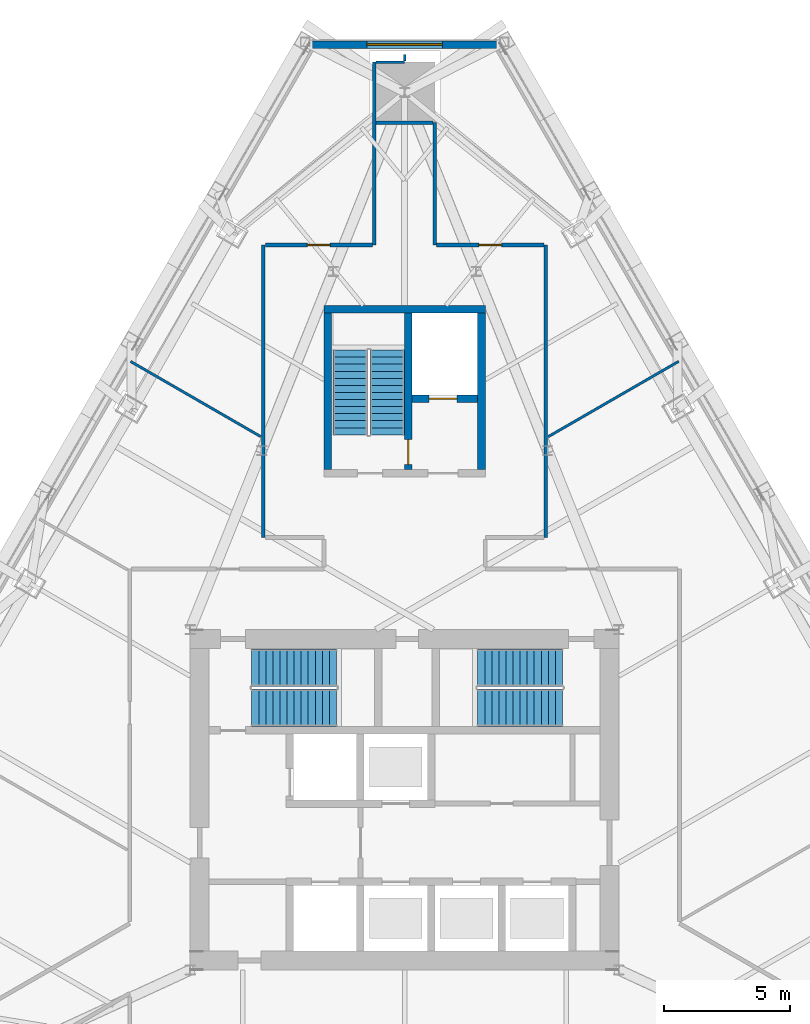
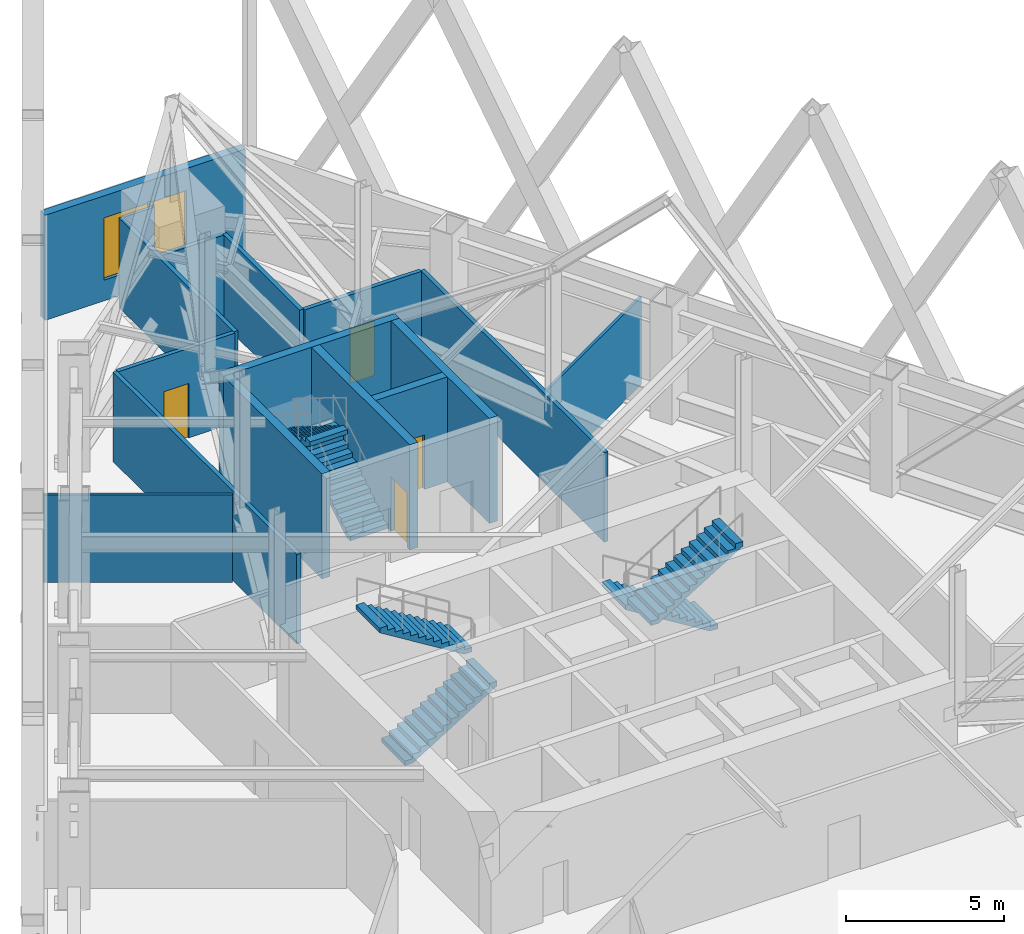
# One storey, part 10 of 16: 17 walls, 6 stair flights, 4 doors, 1 window, 5 openings, 3 elements without a shape of their own.
"""IFC4 building model written with IfcOpenShell, lengths in metres."""

import ifcopenshell
import ifcopenshell.guid

model = None  # the IFC model being written
_history = None  # IfcOwnerHistory: only IFC2X3 demands one
_inside = {}  # id of a spatial element -> (the spatial element, [elements in it])
_under = {}  # id of a project, library or spatial element -> (it, [spatial elements below it])
_declared = {}  # id of a project -> (the project, [libraries it declares])
_typed = {}  # id of a type object -> (the type object, [elements of that type])
_made_of = {}  # id of a material, layer set ... -> (it, [elements and type objects made of it])


def new_model(schema):
    """Start an empty IFC model of exactly this schema.

    Asked for "IFC4X3", IfcOpenShell would pick the latest addendum, in which some entities
    have other attributes; the version numbers below select the first issue.
    IFC2X3 requires an IfcOwnerHistory on every rooted entity: one is made here for all.
    """
    global model, _history
    if schema == "IFC4X3":
        model = ifcopenshell.file(schema_version=(4, 3, 0, 0))
    else:
        model = ifcopenshell.file(schema=schema)
    _inside.clear()
    _under.clear()
    _declared.clear()
    _typed.clear()
    _made_of.clear()
    _history = None
    if model.schema == "IFC2X3":
        org = make("IfcOrganization", Name="unknown")
        user = make(
            "IfcPersonAndOrganization",
            ThePerson=make("IfcPerson", FamilyName="unknown"),
            TheOrganization=org,
        )
        app = make(
            "IfcApplication",
            ApplicationDeveloper=org,
            Version="unknown",
            ApplicationFullName="unknown",
            ApplicationIdentifier="unknown",
        )
        _history = make(
            "IfcOwnerHistory",
            OwningUser=user,
            OwningApplication=app,
            ChangeAction="ADDED",
            CreationDate=0,
        )
    return model


def make(cls, **values):
    """One entity of the class cls with the attributes given. An attribute that is None is left unset."""
    return model.create_entity(
        cls, **{name: value for name, value in values.items() if value is not None}
    )


def rooted(cls, **values):
    """An entity with a GlobalId (a new one), such as an element, a storey or a relation."""
    return make(cls, GlobalId=ifcopenshell.guid.new(), OwnerHistory=_history, **values)


def si_unit(unit_type, name, prefix=None):
    """IfcSIUnit, for example si_unit("LENGTHUNIT", "METRE", prefix="MILLI")."""
    return make("IfcSIUnit", UnitType=unit_type, Prefix=prefix, Name=name)


def assignment(units):
    """IfcUnitAssignment: the units of a project."""
    return None if units is None else make("IfcUnitAssignment", Units=units)


def point(xyz):
    """IfcCartesianPoint."""
    return None if xyz is None else make("IfcCartesianPoint", Coordinates=xyz)


def direction(xyz):
    """IfcDirection."""
    return None if xyz is None else make("IfcDirection", DirectionRatios=xyz)


def frame(location, z_axis=None, x_axis=None):
    """IfcAxis2Placement3D, a coordinate frame: its origin and axes. An axis left out is left unset."""
    return make(
        "IfcAxis2Placement3D",
        Location=point(location),
        Axis=direction(z_axis),
        RefDirection=direction(x_axis),
    )


def frame_2d(location, x_axis=None):
    """IfcAxis2Placement2D, a coordinate frame in the plane: its origin and x axis."""
    return make(
        "IfcAxis2Placement2D", Location=point(location), RefDirection=direction(x_axis)
    )


def origin():
    """The frame at (0, 0, 0) with its axes left unset."""
    return frame((0.0, 0.0, 0.0))


def place(relative_to, where):
    """IfcLocalPlacement: puts the frame where relative to a parent placement (None: the world)."""
    return make(
        "IfcLocalPlacement", PlacementRelTo=relative_to, RelativePlacement=where
    )


def context(
    kind, dimensions, precision=None, world=None, true_north=None, identifier=None
):
    """IfcGeometricRepresentationContext, for example the 3D "Model" context."""
    return make(
        "IfcGeometricRepresentationContext",
        ContextIdentifier=identifier,
        ContextType=kind,
        CoordinateSpaceDimension=dimensions,
        Precision=precision,
        WorldCoordinateSystem=world,
        TrueNorth=true_north,
    )


def subcontext(parent, identifier, kind, view, scale=None):
    """IfcGeometricRepresentationSubContext, for example "Body" below "Model"."""
    return make(
        "IfcGeometricRepresentationSubContext",
        ContextIdentifier=identifier,
        ContextType=kind,
        ParentContext=parent,
        TargetScale=scale,
        TargetView=view,
    )


def project(units=None, contexts=None):
    """IfcProject with its units and contexts."""
    return rooted(
        "IfcProject",
        Name="project",
        RepresentationContexts=contexts,
        UnitsInContext=assignment(units),
    )


def spatial(cls, under=None, at=None, **own):
    """A site, building, storey or space (cls), placed at a placement, below another one or the project."""
    s = rooted(cls, ObjectPlacement=at, **own)
    if under is not None:
        _under.setdefault(under.id(), (under, []))[1].append(s)
    return s


def polyline(points):
    """IfcPolyline through the points."""
    return make("IfcPolyline", Points=[point(p) for p in points])


def profile(cls, at=None, kind="AREA", **sizes):
    """A parametric profile (cls). Its sizes go by their IFC names, for example OverallWidth=200.0."""
    return make(cls, ProfileType=kind, Position=at, **sizes)


def rectangle(**sizes):
    """IfcRectangleProfileDef."""
    return profile("IfcRectangleProfileDef", **sizes)


def outline(outer, holes=None, kind="AREA"):
    """IfcArbitraryClosedProfileDef: a profile drawn as a closed curve; with holes, ...WithVoids."""
    if holes is None:
        return make("IfcArbitraryClosedProfileDef", ProfileType=kind, OuterCurve=outer)
    return make(
        "IfcArbitraryProfileDefWithVoids",
        ProfileType=kind,
        OuterCurve=outer,
        InnerCurves=holes,
    )


def extrude(swept, where, along, depth):
    """IfcExtrudedAreaSolid: the profile swept, set in the frame where, extruded along a direction by depth."""
    return make(
        "IfcExtrudedAreaSolid",
        SweptArea=swept,
        Position=where,
        ExtrudedDirection=direction(along),
        Depth=depth,
    )


def shape(context_of_items, identifier, shape_type, items):
    """IfcShapeRepresentation: the items that make up one representation, for example the "Body"."""
    return make(
        "IfcShapeRepresentation",
        ContextOfItems=context_of_items,
        RepresentationIdentifier=identifier,
        RepresentationType=shape_type,
        Items=items,
    )


def material(Name=None, Category=None):
    """IfcMaterial."""
    return make("IfcMaterial", Name=Name, Category=Category)


def layer(
    of_material, thickness, ventilated=None, Name=None, Category=None, Priority=None
):
    """IfcMaterialLayer: one layer of a wall or slab, of a material (None: an air gap)."""
    return make(
        "IfcMaterialLayer",
        Material=of_material,
        LayerThickness=thickness,
        IsVentilated=ventilated,
        Name=Name,
        Category=Category,
        Priority=Priority,
    )


def layer_set(layers, Name=None):
    """IfcMaterialLayerSet."""
    return make("IfcMaterialLayerSet", MaterialLayers=layers, LayerSetName=Name)


def made_of(thing, what):
    """Note that an element or type object is made of a material, layer set ...; save() writes the relation."""
    if what is not None:
        _made_of.setdefault(what.id(), (what, []))[1].append(thing)
    return thing


def type_object(cls, material=None, **own):
    """A type object (cls), such as IfcWallType, which elements share."""
    return made_of(rooted(cls, **own), material)


def element(
    cls,
    number,
    at=None,
    inside=None,
    cuts=None,
    type_object=None,
    material=None,
    context=None,
    identifier="Body",
    shape_type=None,
    held_by="IfcProductDefinitionShape",
    body=None,
    shapes=None,
    **own,
):
    """One element of the class cls, such as IfcWall. Its Tag is "e" and its number.

    at: its placement. inside: the storey or other place that contains it. cuts: it is an
    opening in that element (IfcRelVoidsElement). A single representation is given by context,
    identifier, shape_type and body (its items); several are given by shapes. held_by: the class
    of the entity that holds the representations. save() writes the other relations.
    """
    e = rooted(cls, Tag="e%d" % number, ObjectPlacement=at, **own)
    if body is not None:
        shapes = [shape(context, identifier, shape_type, body)]
    if shapes is not None:
        e.Representation = make(held_by, Representations=shapes)
    if inside is not None:
        _inside.setdefault(inside.id(), (inside, []))[1].append(e)
    if cuts is not None:
        rooted(
            "IfcRelVoidsElement", RelatingBuildingElement=cuts, RelatedOpeningElement=e
        )
    if type_object is not None:
        _typed.setdefault(type_object.id(), (type_object, []))[1].append(e)
    return made_of(e, material)


def fill(opening, filler):
    """IfcRelFillsElement: the door or window that sits in an opening."""
    return rooted(
        "IfcRelFillsElement",
        RelatingOpeningElement=opening,
        RelatedBuildingElement=filler,
    )


def aggregate(whole, parts):
    """IfcRelAggregates: a whole, such as a stair, and the parts it consists of."""
    return rooted("IfcRelAggregates", RelatingObject=whole, RelatedObjects=parts)


def save(model, path):
    """Write the relations noted so far, then the file.

    IfcRelAggregates (storeys below a building ...), IfcRelContainedInSpatialStructure (elements
    in a storey), IfcRelDefinesByType, IfcRelAssociatesMaterial and IfcRelDeclares: one each for
    every whole, place, type object, material and project.
    """
    for whole, parts in _under.values():
        aggregate(whole, parts)
    for where, things in _inside.values():
        rooted(
            "IfcRelContainedInSpatialStructure",
            RelatedElements=things,
            RelatingStructure=where,
        )
    for kind, things in _typed.values():
        rooted("IfcRelDefinesByType", RelatedObjects=things, RelatingType=kind)
    for what, things in _made_of.values():
        rooted("IfcRelAssociatesMaterial", RelatedObjects=things, RelatingMaterial=what)
    for by, libraries in _declared.values():
        rooted("IfcRelDeclares", RelatingContext=by, RelatedDefinitions=libraries)
    model.write(path)


model = new_model("IFC4")

# Units and contexts
model_context = context("Model", 3, precision=1e-05, world=origin(), true_north=direction((0.0, 1.0)))
body_context = subcontext(model_context, "Body", "Model", "MODEL_VIEW")
ifc_project = project(units=[si_unit("LENGTHUNIT", "METRE"), si_unit("AREAUNIT", "SQUARE_METRE"), si_unit("VOLUMEUNIT", "CUBIC_METRE"), si_unit("PLANEANGLEUNIT", "RADIAN"), si_unit("MASSUNIT", "GRAM", prefix="KILO")], contexts=[model_context])

# Site, building, storey
site_placement = place(None, origin())
site = spatial("IfcSite", under=ifc_project, at=site_placement, CompositionType="ELEMENT")
building_placement = place(site_placement, origin())
building = spatial("IfcBuilding", under=site, at=building_placement, Name="Firuza Gate Tower and Library", CompositionType="ELEMENT")
storey_placement = place(building_placement, frame((0.0, 0.0, 247.60009765625)))
storey = spatial("IfcBuildingStorey", under=building, at=storey_placement, Name="L58", CompositionType="ELEMENT", Elevation=247.60009765625)

# Walls
ifc_material_1 = material(Name="Concrete C60/75", Category="concrete")
ifc_layer_1 = layer(ifc_material_1, 0.300048828125)
ifc_layer_set_1 = layer_set([ifc_layer_1], Name="Core wall 300 C60/75")
wall_type_1 = type_object("IfcWallType", Name="Core wall 300 C60/75", PredefinedType="SHEAR", material=ifc_layer_set_1)
wall_1_placement = place(storey_placement, frame((71.800048828125, 94.449951171875, 0.0), z_axis=(0.0, 0.0, 1.0), x_axis=(1.0, 0.0, 0.0)))
element("IfcWall", 1, at=wall_1_placement, inside=storey, type_object=wall_type_1, Name="Core wall L58 19", PredefinedType="SHEAR", context=body_context, shape_type="SweptSolid", body=[
    extrude(rectangle(XDim=6.39990234375, YDim=0.300048828125, at=frame_2d((3.199951171875, 0.0))), origin(), (0.0, 0.0, 1.0), 4.0498046875),
])
for number, where, z_axis, x_axis, name in (
    (2, (71.949951171875, 88.10009765625, 0.0), (0.0, 0.0, 1.0), (0.0, 1.0, 0.0), "Core wall L58 20"),
    (3, (78.050048828125, 88.10009765625, 0.0), (0.0, 0.0, 1.0), (0.0, 1.0, 0.0), "Core wall L58 21"),
):
    element("IfcWall", number, at=place(storey_placement, frame(where, z_axis=z_axis, x_axis=x_axis)), inside=storey, type_object=wall_type_1, Name=name, PredefinedType="SHEAR", context=body_context, shape_type="SweptSolid", body=[
        extrude(rectangle(XDim=6.199951171875, YDim=0.300048828125, at=frame_2d((3.10009765625, 0.0))), origin(), (0.0, 0.0, 1.0), 4.0498046875),
    ])

# Wall, opening, door
wall_2_placement = place(storey_placement, frame((75.300048828125, 90.89990234375, 0.0), z_axis=(0.0, 0.0, 1.0), x_axis=(1.0, 0.0, 0.0)))
wall_2 = element("IfcWall", 4, at=wall_2_placement, inside=storey, type_object=wall_type_1, Name="Core wall L58 22", PredefinedType="SHEAR", context=body_context, shape_type="SweptSolid", body=[
    extrude(rectangle(XDim=2.599853515625, YDim=0.300048828125, at=frame_2d((1.2998046875, 0.0))), origin(), (0.0, 0.0, 1.0), 4.0498046875),
])
opening_1_placement = place(wall_2_placement, frame((0.675048828125, 0.0, 0.0)))
opening_1 = element("IfcOpeningElement", 5, at=opening_1_placement, cuts=wall_2, Name="Opening LD-SV1-L58", PredefinedType="OPENING", context=body_context, shape_type="SweptSolid", body=[
    extrude(rectangle(XDim=1.10009765625, YDim=2.10009765625, at=frame_2d((0.550048828125, 1.050048828125))), frame((0.0, 0.16015625, 0.0), z_axis=(0.0, -1.0, 0.0), x_axis=(1.0, 0.0, 0.0)), (0.0, 0.0, 1.0), 0.320068359375),
])
ifc_material_2 = material(Name="Stainless steel", Category="steel")
door_type_1 = type_object("IfcDoorType", Name="Lift landing door 1100x2100", OperationType="DOUBLE_DOOR_SLIDING", PredefinedType="DOOR", material=ifc_material_2)
door_1_placement = place(opening_1_placement, origin())
door_1 = element("IfcDoor", 6, at=door_1_placement, inside=storey, type_object=door_type_1, Name="Landing door SV1 L58", OperationType="DOUBLE_DOOR_SLIDING", OverallHeight=2.10009765625, OverallWidth=1.10009765625, PredefinedType="DOOR", context=body_context, shape_type="SweptSolid", body=[
    extrude(rectangle(XDim=1.10009765625, YDim=2.10009765625, at=frame_2d((0.550048828125, 1.050048828125))), frame((0.0, 0.02490234375, 0.0), z_axis=(0.0, -1.0, 0.0), x_axis=(1.0, 0.0, 0.0)), (0.0, 0.0, 1.0), 0.050048828125),
])
fill(opening_1, door_1)

wall_3_placement = place(storey_placement, frame((75.14990234375, 88.10009765625, 0.0), z_axis=(0.0, 0.0, 1.0), x_axis=(0.0, 1.0, 0.0)))
wall_3 = element("IfcWall", 7, at=wall_3_placement, inside=storey, type_object=wall_type_1, Name="Core wall L58 23", PredefinedType="SHEAR", context=body_context, shape_type="SweptSolid", body=[
    extrude(rectangle(XDim=6.199951171875, YDim=0.300048828125, at=frame_2d((3.10009765625, 0.0))), origin(), (0.0, 0.0, 1.0), 4.0498046875),
])
opening_2_placement = place(wall_3_placement, frame((0.18505859375, 0.0, 0.0)))
opening_2 = element("IfcOpeningElement", 8, at=opening_2_placement, cuts=wall_3, Name="Opening L58-K12", PredefinedType="OPENING", context=body_context, shape_type="SweptSolid", body=[
    extrude(rectangle(XDim=1.0, YDim=2.10009765625, at=frame_2d((0.5, 1.050048828125))), frame((0.0, 0.16015625, 0.0), z_axis=(0.0, -1.0, 0.0), x_axis=(1.0, 0.0, 0.0)), (0.0, 0.0, 1.0), 0.320068359375),
])
ifc_material_3 = material(Name="Steel", Category="steel")
door_type_2 = type_object("IfcDoorType", Name="Fire door 1000x2100 FD90", OperationType="NOTDEFINED", PredefinedType="DOOR", material=ifc_material_3)
door_2_placement = place(opening_2_placement, origin())
door_2 = element("IfcDoor", 9, at=door_2_placement, inside=storey, type_object=door_type_2, Name="Door L58-K12", OperationType="SINGLE_SWING_LEFT", OverallHeight=2.10009765625, OverallWidth=1.0, PredefinedType="DOOR", context=body_context, shape_type="SweptSolid", body=[
    extrude(rectangle(XDim=1.0, YDim=2.10009765625, at=frame_2d((0.5, 1.050048828125))), frame((0.0, 0.02490234375, 0.0), z_axis=(0.0, -1.0, 0.0), x_axis=(1.0, 0.0, 0.0)), (0.0, 0.0, 1.0), 0.050048828125),
])
fill(opening_2, door_2)

ifc_material_4 = material(Name="Gypsum board partition")
ifc_layer_2 = layer(ifc_material_4, 0.14990234375)
ifc_layer_set_2 = layer_set([ifc_layer_2], Name="Corridor wall 150 double board on steel studs")
wall_type_2 = type_object("IfcWallType", Name="Corridor wall 150 double board on steel studs", PredefinedType="PARTITIONING", material=ifc_layer_set_2)
wall_4_placement = place(storey_placement, frame((69.4755859375, 97.0, 0.0), z_axis=(0.0, 0.0, 1.0), x_axis=(1.0, 0.0, 0.0)))
wall_4 = element("IfcWall", 10, at=wall_4_placement, inside=storey, type_object=wall_type_2, Name="f:L58:w005", PredefinedType="PARTITIONING", context=body_context, shape_type="SweptSolid", body=[
    extrude(rectangle(XDim=4.24951171875, YDim=0.14990234375, at=frame_2d((2.124755859375, 0.0))), origin(), (0.0, 0.0, 1.0), 3.449951171875),
])
opening_3_placement = place(wall_4_placement, frame((1.6748046875, 0.0, 0.0)))
opening_3 = element("IfcOpeningElement", 11, at=opening_3_placement, cuts=wall_4, Name="Opening L58-05", PredefinedType="OPENING", context=body_context, shape_type="SweptSolid", body=[
    extrude(rectangle(XDim=0.89990234375, YDim=2.10009765625, at=frame_2d((0.449951171875, 1.050048828125))), frame((0.0, 0.0849609375, 0.0), z_axis=(0.0, -1.0, 0.0), x_axis=(1.0, 0.0, 0.0)), (0.0, 0.0, 1.0), 0.169921875),
])
ifc_material_5 = material(Name="Steel door and timber leaf", Category="steel")
door_type_3 = type_object("IfcDoorType", Name="Fire door 900 x 2100 steel frame, timber leaf", OperationType="NOTDEFINED", PredefinedType="DOOR", material=ifc_material_5)
door_3_placement = place(opening_3_placement, origin())
door_3 = element("IfcDoor", 12, at=door_3_placement, inside=storey, type_object=door_type_3, Name="f:L58:d005", OperationType="SINGLE_SWING_LEFT", OverallHeight=2.10009765625, OverallWidth=0.89990234375, PredefinedType="DOOR", context=body_context, shape_type="SweptSolid", body=[
    extrude(rectangle(XDim=0.89990234375, YDim=2.10009765625, at=frame_2d((0.449951171875, 1.050048828125))), frame((0.0, 0.02490234375, 0.0), z_axis=(0.0, -1.0, 0.0), x_axis=(1.0, 0.0, 0.0)), (0.0, 0.0, 1.0), 0.050048828125),
])
fill(opening_3, door_3)

wall_5_placement = place(storey_placement, frame((76.27490234375, 97.0, 0.0), z_axis=(0.0, 0.0, 1.0), x_axis=(1.0, 0.0, 0.0)))
wall_5 = element("IfcWall", 13, at=wall_5_placement, inside=storey, type_object=wall_type_2, Name="f:L58:w006", PredefinedType="PARTITIONING", context=body_context, shape_type="SweptSolid", body=[
    extrude(rectangle(XDim=4.24951171875, YDim=0.14990234375, at=frame_2d((2.124755859375, 0.0))), origin(), (0.0, 0.0, 1.0), 3.449951171875),
])
opening_4_placement = place(wall_5_placement, frame((1.6748046875, 0.0, 0.0)))
opening_4 = element("IfcOpeningElement", 14, at=opening_4_placement, cuts=wall_5, Name="Opening L58-06", PredefinedType="OPENING", context=body_context, shape_type="SweptSolid", body=[
    extrude(rectangle(XDim=0.89990234375, YDim=2.10009765625, at=frame_2d((0.449951171875, 1.050048828125))), frame((0.0, 0.0849609375, 0.0), z_axis=(0.0, -1.0, 0.0), x_axis=(1.0, 0.0, 0.0)), (0.0, 0.0, 1.0), 0.169921875),
])
door_4_placement = place(opening_4_placement, origin())
door_4 = element("IfcDoor", 15, at=door_4_placement, inside=storey, type_object=door_type_3, Name="f:L58:d006", OperationType="SINGLE_SWING_RIGHT", OverallHeight=2.10009765625, OverallWidth=0.89990234375, PredefinedType="DOOR", context=body_context, shape_type="SweptSolid", body=[
    extrude(rectangle(XDim=0.89990234375, YDim=2.10009765625, at=frame_2d((0.449951171875, 1.050048828125))), frame((0.0, 0.02490234375, 0.0), z_axis=(0.0, -1.0, 0.0), x_axis=(1.0, 0.0, 0.0)), (0.0, 0.0, 1.0), 0.050048828125),
])
fill(opening_4, door_4)

# Walls
wall_6_placement = place(storey_placement, frame((73.87548828125, 101.84912109375, 0.0), z_axis=(0.0, 0.0, 1.0), x_axis=(1.0, 0.0, 0.0)))
element("IfcWall", 16, at=wall_6_placement, inside=storey, type_object=wall_type_2, Name="f:L58:w007", PredefinedType="PARTITIONING", context=body_context, shape_type="SweptSolid", body=[
    extrude(rectangle(XDim=2.2490234375, YDim=0.14990234375, at=frame_2d((1.12451171875, 0.0))), origin(), (0.0, 0.0, 1.0), 3.447021484375),
])
wall_7_placement = place(storey_placement, frame((80.60009765625, 85.400634765625, 0.0), z_axis=(0.0, 0.0, 1.0), x_axis=(0.0, 1.0, 0.0)))
element("IfcWall", 17, at=wall_7_placement, inside=storey, type_object=wall_type_2, Name="f:L58:w019", PredefinedType="PARTITIONING", context=body_context, shape_type="SweptSolid", body=[
    extrude(rectangle(XDim=11.598876953125, YDim=0.14990234375, at=frame_2d((5.79931640625, 0.0))), origin(), (0.0, 0.0, 1.0), 3.447021484375),
])
wall_8_placement = place(storey_placement, frame((76.199951171875, 97.0, 0.0), z_axis=(0.0, 0.0, 1.0), x_axis=(0.0, 1.0, 0.0)))
element("IfcWall", 18, at=wall_8_placement, inside=storey, type_object=wall_type_2, Name="f:L58:w021", PredefinedType="PARTITIONING", context=body_context, shape_type="SweptSolid", body=[
    extrude(rectangle(XDim=4.848388671875, YDim=0.14990234375, at=frame_2d((2.42431640625, 0.0))), origin(), (0.0, 0.0, 1.0), 3.449951171875),
])
wall_9_placement = place(storey_placement, frame((73.800048828125, 97.0, 0.0), z_axis=(0.0, 0.0, 1.0), x_axis=(0.0, 1.0, 0.0)))
element("IfcWall", 19, at=wall_9_placement, inside=storey, type_object=wall_type_2, Name="f:L58:w023", PredefinedType="PARTITIONING", context=body_context, shape_type="SweptSolid", body=[
    extrude(rectangle(XDim=7.24853515625, YDim=0.14990234375, at=frame_2d((3.624267578125, 0.0))), origin(), (0.0, 0.0, 1.0), 3.449951171875),
])
wall_10_placement = place(storey_placement, frame((69.39990234375, 85.400390625, 0.0), z_axis=(0.0, 0.0, 1.0), x_axis=(0.0, 1.0, 0.0)))
element("IfcWall", 20, at=wall_10_placement, inside=storey, type_object=wall_type_2, Name="f:L58:w026", PredefinedType="PARTITIONING", context=body_context, shape_type="SweptSolid", body=[
    extrude(rectangle(XDim=11.59912109375, YDim=0.14990234375, at=frame_2d((5.799560546875, 0.0))), origin(), (0.0, 0.0, 1.0), 3.447021484375),
])
ifc_material_6 = material(Name="Gypsum board partition")
ifc_layer_3 = layer(ifc_material_6, 0.10009765625)
ifc_layer_set_3 = layer_set([ifc_layer_3], Name="Partition 100 gypsum board on steel studs")
wall_type_3 = type_object("IfcWallType", Name="Partition 100 gypsum board on steel studs", PredefinedType="PARTITIONING", material=ifc_layer_set_3)
wall_11_placement = place(storey_placement, frame((73.87548828125, 104.2490234375, 0.0), z_axis=(0.0, 0.0, 1.0), x_axis=(1.0, 0.0, 0.0)))
element("IfcWall", 21, at=wall_11_placement, inside=storey, type_object=wall_type_3, Name="f:L58:w008", PredefinedType="PARTITIONING", context=body_context, shape_type="SweptSolid", body=[
    extrude(rectangle(XDim=1.12451171875, YDim=0.10009765625, at=frame_2d((0.562255859375, 0.0))), origin(), (0.0, 0.0, 1.0), 3.449951171875),
])
wall_12_placement = place(storey_placement, frame((80.700927734375, 89.399658203125, 0.0), z_axis=(0.0, 0.0, 1.0), x_axis=(0.866020648857, 0.500008235685, 0.0)))
element("IfcWall", 22, at=wall_12_placement, inside=storey, type_object=wall_type_3, Name="f:L58:w013", PredefinedType="PARTITIONING", context=body_context, shape_type="SweptSolid", body=[
    extrude(rectangle(XDim=5.96533203125, YDim=0.10009765625, at=frame_2d((2.982666015625, 0.0))), origin(), (0.0, 0.0, 1.0), 3.371826171875),
])
wall_13_placement = place(storey_placement, frame((75.0, 104.299072265625, 0.0), z_axis=(0.0, 0.0, 1.0), x_axis=(0.0, 1.0, 0.0)))
element("IfcWall", 23, at=wall_13_placement, inside=storey, type_object=wall_type_3, Name="f:L58:w022", PredefinedType="PARTITIONING", context=body_context, shape_type="SweptSolid", body=[
    extrude(rectangle(XDim=0.25, YDim=0.10009765625, at=frame_2d((0.125, 0.0))), origin(), (0.0, 0.0, 1.0), 3.449951171875),
])
wall_14_placement = place(storey_placement, frame((69.299072265625, 89.399658203125, 0.0), z_axis=(0.0, 0.0, 1.0), x_axis=(-0.866020648857, 0.500008235685, 0.0)))
element("IfcWall", 24, at=wall_14_placement, inside=storey, type_object=wall_type_3, Name="f:L58:w031", PredefinedType="PARTITIONING", context=body_context, shape_type="SweptSolid", body=[
    extrude(rectangle(XDim=5.96533203125, YDim=0.10009765625, at=frame_2d((2.982666015625, 0.0))), origin(), (0.0, 0.0, 1.0), 3.371826171875),
])

# Wall, opening, window
ifc_material_7 = material(Name="Concrete C40/50", Category="concrete")
ifc_layer_4 = layer(ifc_material_7, 0.300048828125)
ifc_layer_set_4 = layer_set([ifc_layer_4], Name="Plant louvre wall 300")
wall_type_4 = type_object("IfcWallType", Name="Plant louvre wall 300", PredefinedType="SOLIDWALL", material=ifc_layer_set_4)
wall_15_placement = place(storey_placement, frame((78.65185546875, 104.93896484375, 0.0), z_axis=(0.0, 0.0, 1.0), x_axis=(-1.0, 0.0, 0.0)))
wall_15 = element("IfcWall", 25, at=wall_15_placement, inside=storey, type_object=wall_type_4, Name="Plant louvre wall 4", PredefinedType="SOLIDWALL", context=body_context, shape_type="SweptSolid", body=[
    extrude(rectangle(XDim=7.3037109375, YDim=0.300048828125, at=frame_2d((3.65185546875, 0.0))), origin(), (0.0, 0.0, 1.0), 4.0498046875),
])
opening_5_placement = place(wall_15_placement, frame((2.15185546875, 0.0, 0.800048828125)))
opening_5 = element("IfcOpeningElement", 26, at=opening_5_placement, cuts=wall_15, Name="Opening WD3-002", PredefinedType="OPENING", context=body_context, shape_type="SweptSolid", body=[
    extrude(rectangle(XDim=3.0, YDim=2.39990234375, at=frame_2d((1.5, 1.199951171875))), frame((0.0, 0.16015625, 0.0), z_axis=(0.0, -1.0, 0.0), x_axis=(1.0, 0.0, 0.0)), (0.0, 0.0, 1.0), 0.320068359375),
])
ifc_material_8 = material(Name="Aluminium 6063-T6", Category="aluminium")
window_type = type_object("IfcWindowType", Name="Plant louvre 3000x2400", PartitioningType="SINGLE_PANEL", PredefinedType="WINDOW", material=ifc_material_8)
window_placement = place(opening_5_placement, origin())
window = element("IfcWindow", 27, at=window_placement, inside=storey, type_object=window_type, Name="e:pwall:L58:3/L0", OverallHeight=2.39990234375, OverallWidth=3.0, PartitioningType="SINGLE_PANEL", PredefinedType="WINDOW", context=body_context, shape_type="SweptSolid", body=[
    extrude(rectangle(XDim=3.0, YDim=2.39990234375, at=frame_2d((1.5, 1.199951171875))), frame((0.0, 0.030029296875, 0.0), z_axis=(0.0, -1.0, 0.0), x_axis=(1.0, 0.0, 0.0)), (0.0, 0.0, 1.0), 0.06005859375),
])
fill(opening_5, window)

# Stair, stair flights
ifc_material_9 = material(Name="Concrete C35/45", Category="concrete")
stair_type_1 = type_object("IfcStairType", Name="Exit stair ST10", PredefinedType="HALF_TURN_STAIR", material=ifc_material_9)
placement = place(storey_placement, origin())
stair_1 = element("IfcStair", 28, at=placement, inside=storey, type_object=stair_type_1, Name="L58 Stair ST3", PredefinedType="HALF_TURN_STAIR")
ifc_material_10 = material(Name="Concrete C35/45", Category="concrete")
stair_flight_type_1 = type_object("IfcStairFlightType", Name="Stair flight 13 risers 173.1 width 1370", PredefinedType="STRAIGHT", material=ifc_material_10)
stair_flight_1_placement = place(storey_placement, frame((74.31494140625, 89.469970703125, 0.0), z_axis=(0.0, 0.0, 1.0), x_axis=(0.0, 1.0, 0.0)))
stair_flight_1 = element("IfcStairFlight", 29, at=stair_flight_1_placement, type_object=stair_flight_type_1, Name="ST3 flight 1", NumberOfRisers=13, NumberOfTreads=12, PredefinedType="STRAIGHT", RiserHeight=0.173076923, TreadLength=0.28, context=body_context, shape_type="SweptSolid", body=[
    extrude(outline(polyline([(0.0, 0.0), (0.0, 0.173095703125), (0.280029296875, 0.173095703125), (0.280029296875, 0.34619140625), (0.56005859375, 0.34619140625), (0.56005859375, 0.519287109375), (0.840087890625, 0.519287109375), (0.840087890625, 0.6923828125), (1.1201171875, 0.6923828125), (1.1201171875, 0.865478515625), (1.39990234375, 0.865478515625), (1.39990234375, 1.03857421875), (1.679931640625, 1.03857421875), (1.679931640625, 1.21142578125), (1.9599609375, 1.21142578125), (1.9599609375, 1.384521484375), (2.239990234375, 1.384521484375), (2.239990234375, 1.5576171875), (2.52001953125, 1.5576171875), (2.52001953125, 1.730712890625), (2.800048828125, 1.730712890625), (2.800048828125, 1.90380859375), (3.080078125, 1.90380859375), (3.080078125, 2.076904296875), (3.360107421875, 2.076904296875), (3.360107421875, 2.25), (3.360107421875, 1.900634765625), (0.28515625, 0.0), (0.0, 0.0)])), frame((0.0, 0.68505859375, 0.0), z_axis=(0.0, -1.0, 0.0), x_axis=(1.0, 0.0, 0.0)), (0.0, 0.0, 1.0), 1.3701171875),
])
stair_flight_2_placement = place(storey_placement, frame((72.844970703125, 92.830078125, 2.25), z_axis=(0.0, 0.0, 1.0), x_axis=(0.0, -1.0, 0.0)))
stair_flight_2 = element("IfcStairFlight", 30, at=stair_flight_2_placement, type_object=stair_flight_type_1, Name="ST3 flight 2", NumberOfRisers=13, NumberOfTreads=12, PredefinedType="STRAIGHT", RiserHeight=0.173076923, TreadLength=0.28, context=body_context, shape_type="SweptSolid", body=[
    extrude(outline(polyline([(0.0, 0.0), (0.0, 0.173095703125), (0.280029296875, 0.173095703125), (0.280029296875, 0.34619140625), (0.56005859375, 0.34619140625), (0.56005859375, 0.519287109375), (0.840087890625, 0.519287109375), (0.840087890625, 0.6923828125), (1.1201171875, 0.6923828125), (1.1201171875, 0.865478515625), (1.39990234375, 0.865478515625), (1.39990234375, 1.03857421875), (1.679931640625, 1.03857421875), (1.679931640625, 1.21142578125), (1.9599609375, 1.21142578125), (1.9599609375, 1.384521484375), (2.239990234375, 1.384521484375), (2.239990234375, 1.5576171875), (2.52001953125, 1.5576171875), (2.52001953125, 1.730712890625), (2.800048828125, 1.730712890625), (2.800048828125, 1.90380859375), (3.080078125, 1.90380859375), (3.080078125, 2.076904296875), (3.360107421875, 2.076904296875), (3.360107421875, 2.25), (3.360107421875, 1.900634765625), (0.28515625, 0.0), (0.0, 0.0)])), frame((0.0, 0.68505859375, 0.0), z_axis=(0.0, -1.0, 0.0), x_axis=(1.0, 0.0, 0.0)), (0.0, 0.0, 1.0), 1.3701171875),
])
aggregate(stair_1, [stair_flight_1, stair_flight_2])

ifc_material_11 = material(Name="Concrete C35/45", Category="concrete")
stair_type_2 = type_object("IfcStairType", Name="Exit stair ST1", PredefinedType="HALF_TURN_STAIR", material=ifc_material_11)
stair_2 = element("IfcStair", 31, at=placement, inside=storey, type_object=stair_type_2, Name="L58 Stair ST1", PredefinedType="HALF_TURN_STAIR")
ifc_material_12 = material(Name="Concrete C35/45", Category="concrete")
stair_flight_type_2 = type_object("IfcStairFlightType", Name="Stair flight 13 risers 173.1 width 1490", PredefinedType="STRAIGHT", material=ifc_material_12)
stair_flight_3_placement = place(storey_placement, frame((68.93994140625, 78.64501953125, 0.0), z_axis=(0.0, 0.0, 1.0), x_axis=(1.0, 0.0, 0.0)))
stair_flight_3 = element("IfcStairFlight", 32, at=stair_flight_3_placement, type_object=stair_flight_type_2, Name="ST1 flight 1", NumberOfRisers=13, NumberOfTreads=12, PredefinedType="STRAIGHT", RiserHeight=0.173076923, TreadLength=0.28, context=body_context, shape_type="SweptSolid", body=[
    extrude(outline(polyline([(0.0, 0.0), (0.0, 0.173095703125), (0.280029296875, 0.173095703125), (0.280029296875, 0.34619140625), (0.56005859375, 0.34619140625), (0.56005859375, 0.519287109375), (0.840087890625, 0.519287109375), (0.840087890625, 0.6923828125), (1.1201171875, 0.6923828125), (1.1201171875, 0.865478515625), (1.39990234375, 0.865478515625), (1.39990234375, 1.03857421875), (1.679931640625, 1.03857421875), (1.679931640625, 1.21142578125), (1.9599609375, 1.21142578125), (1.9599609375, 1.384521484375), (2.239990234375, 1.384521484375), (2.239990234375, 1.5576171875), (2.52001953125, 1.5576171875), (2.52001953125, 1.730712890625), (2.800048828125, 1.730712890625), (2.800048828125, 1.90380859375), (3.080078125, 1.90380859375), (3.080078125, 2.076904296875), (3.360107421875, 2.076904296875), (3.360107421875, 2.25), (3.360107421875, 1.900634765625), (0.28515625, 0.0), (0.0, 0.0)])), frame((0.0, 0.7451171875, 0.0), z_axis=(0.0, -1.0, 0.0), x_axis=(1.0, 0.0, 0.0)), (0.0, 0.0, 1.0), 1.489990234375),
])
stair_flight_4_placement = place(storey_placement, frame((72.300048828125, 80.235107421875, 2.25), z_axis=(0.0, 0.0, 1.0), x_axis=(-1.0, 0.0, 0.0)))
stair_flight_4 = element("IfcStairFlight", 33, at=stair_flight_4_placement, type_object=stair_flight_type_2, Name="ST1 flight 2", NumberOfRisers=13, NumberOfTreads=12, PredefinedType="STRAIGHT", RiserHeight=0.173076923, TreadLength=0.28, context=body_context, shape_type="SweptSolid", body=[
    extrude(outline(polyline([(0.0, 0.0), (0.0, 0.173095703125), (0.280029296875, 0.173095703125), (0.280029296875, 0.34619140625), (0.56005859375, 0.34619140625), (0.56005859375, 0.519287109375), (0.840087890625, 0.519287109375), (0.840087890625, 0.6923828125), (1.1201171875, 0.6923828125), (1.1201171875, 0.865478515625), (1.39990234375, 0.865478515625), (1.39990234375, 1.03857421875), (1.679931640625, 1.03857421875), (1.679931640625, 1.21142578125), (1.9599609375, 1.21142578125), (1.9599609375, 1.384521484375), (2.239990234375, 1.384521484375), (2.239990234375, 1.5576171875), (2.52001953125, 1.5576171875), (2.52001953125, 1.730712890625), (2.800048828125, 1.730712890625), (2.800048828125, 1.90380859375), (3.080078125, 1.90380859375), (3.080078125, 2.076904296875), (3.360107421875, 2.076904296875), (3.360107421875, 2.25), (3.360107421875, 1.900634765625), (0.28515625, 0.0), (0.0, 0.0)])), frame((0.0, 0.7451171875, 0.0), z_axis=(0.0, -1.0, 0.0), x_axis=(1.0, 0.0, 0.0)), (0.0, 0.0, 1.0), 1.489990234375),
])
aggregate(stair_2, [stair_flight_3, stair_flight_4])

stair_3 = element("IfcStair", 34, at=placement, inside=storey, type_object=stair_type_2, Name="L58 Stair ST2", PredefinedType="HALF_TURN_STAIR")
stair_flight_5_placement = place(storey_placement, frame((81.260009765625, 80.235107421875, 0.0), z_axis=(0.0, 0.0, 1.0), x_axis=(-1.0, 0.0, 0.0)))
stair_flight_5 = element("IfcStairFlight", 35, at=stair_flight_5_placement, type_object=stair_flight_type_2, Name="ST2 flight 1", NumberOfRisers=13, NumberOfTreads=12, PredefinedType="STRAIGHT", RiserHeight=0.173076923, TreadLength=0.28, context=body_context, shape_type="SweptSolid", body=[
    extrude(outline(polyline([(0.0, 0.0), (0.0, 0.173095703125), (0.280029296875, 0.173095703125), (0.280029296875, 0.34619140625), (0.56005859375, 0.34619140625), (0.56005859375, 0.519287109375), (0.840087890625, 0.519287109375), (0.840087890625, 0.6923828125), (1.1201171875, 0.6923828125), (1.1201171875, 0.865478515625), (1.39990234375, 0.865478515625), (1.39990234375, 1.03857421875), (1.679931640625, 1.03857421875), (1.679931640625, 1.21142578125), (1.9599609375, 1.21142578125), (1.9599609375, 1.384521484375), (2.239990234375, 1.384521484375), (2.239990234375, 1.5576171875), (2.52001953125, 1.5576171875), (2.52001953125, 1.730712890625), (2.800048828125, 1.730712890625), (2.800048828125, 1.90380859375), (3.080078125, 1.90380859375), (3.080078125, 2.076904296875), (3.360107421875, 2.076904296875), (3.360107421875, 2.25), (3.360107421875, 1.900634765625), (0.28515625, 0.0), (0.0, 0.0)])), frame((0.0, 0.7451171875, 0.0), z_axis=(0.0, -1.0, 0.0), x_axis=(1.0, 0.0, 0.0)), (0.0, 0.0, 1.0), 1.489990234375),
])
stair_flight_6_placement = place(storey_placement, frame((77.89990234375, 78.64501953125, 2.25), z_axis=(0.0, 0.0, 1.0), x_axis=(1.0, 0.0, 0.0)))
stair_flight_6 = element("IfcStairFlight", 36, at=stair_flight_6_placement, type_object=stair_flight_type_2, Name="ST2 flight 2", NumberOfRisers=13, NumberOfTreads=12, PredefinedType="STRAIGHT", RiserHeight=0.173076923, TreadLength=0.28, context=body_context, shape_type="SweptSolid", body=[
    extrude(outline(polyline([(0.0, 0.0), (0.0, 0.173095703125), (0.280029296875, 0.173095703125), (0.280029296875, 0.34619140625), (0.56005859375, 0.34619140625), (0.56005859375, 0.519287109375), (0.840087890625, 0.519287109375), (0.840087890625, 0.6923828125), (1.1201171875, 0.6923828125), (1.1201171875, 0.865478515625), (1.39990234375, 0.865478515625), (1.39990234375, 1.03857421875), (1.679931640625, 1.03857421875), (1.679931640625, 1.21142578125), (1.9599609375, 1.21142578125), (1.9599609375, 1.384521484375), (2.239990234375, 1.384521484375), (2.239990234375, 1.5576171875), (2.52001953125, 1.5576171875), (2.52001953125, 1.730712890625), (2.800048828125, 1.730712890625), (2.800048828125, 1.90380859375), (3.080078125, 1.90380859375), (3.080078125, 2.076904296875), (3.360107421875, 2.076904296875), (3.360107421875, 2.25), (3.360107421875, 1.900634765625), (0.28515625, 0.0), (0.0, 0.0)])), frame((0.0, 0.7451171875, 0.0), z_axis=(0.0, -1.0, 0.0), x_axis=(1.0, 0.0, 0.0)), (0.0, 0.0, 1.0), 1.489990234375),
])
aggregate(stair_3, [stair_flight_5, stair_flight_6])

save(model, "model.ifc")
